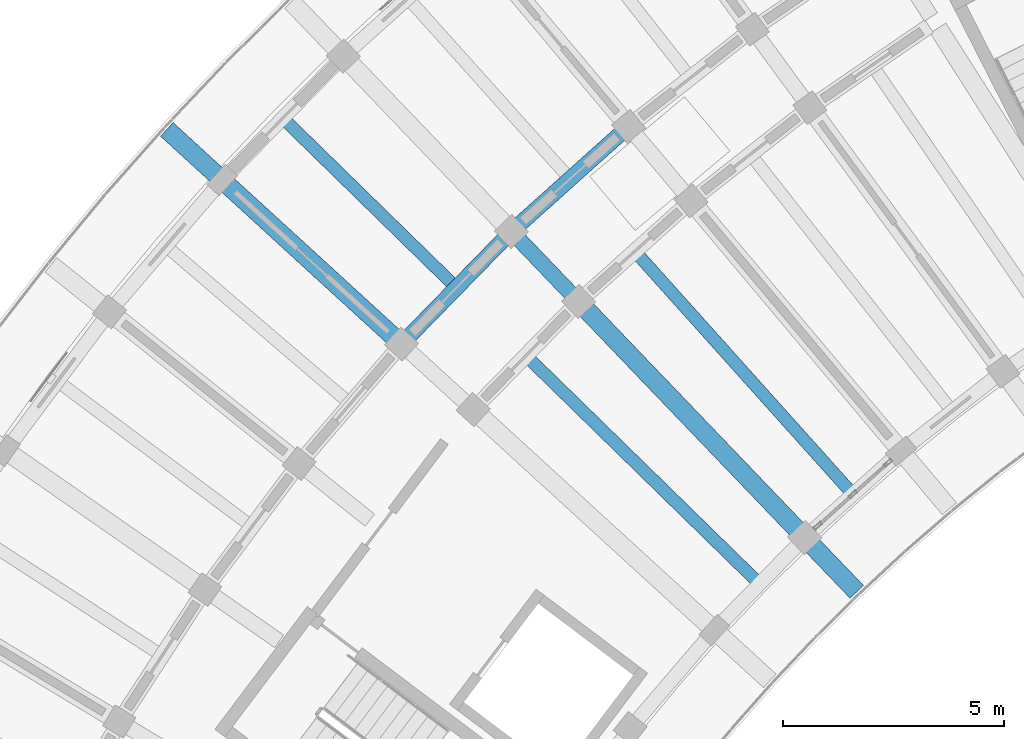
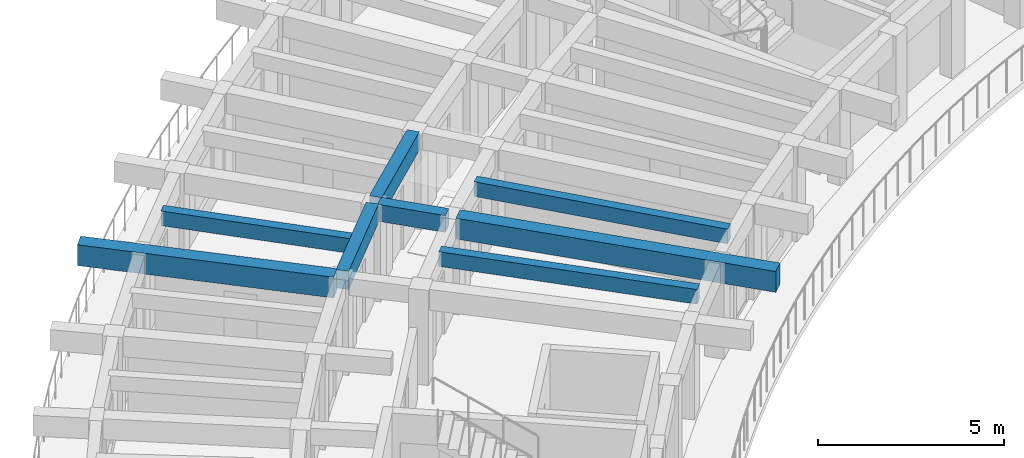
# One storey, part 12 of 81: 8 beams.
"""IFC4 building model written with IfcOpenShell, lengths in metres."""

from ifc_helpers import new_model, si_unit, direction, frame, origin, origin_2d, place, context, subcontext, project, spatial, rectangle, extrude, material, material_profile, profile_set, type_object, element, save


model = new_model("IFC4")

# Units and contexts
model_context = context("Model", 3, precision=1e-05, world=origin(), true_north=direction((0.0, 1.0)))
body_context = subcontext(model_context, "Body", "Model", "MODEL_VIEW")
ifc_project = project(units=[si_unit("LENGTHUNIT", "METRE"), si_unit("AREAUNIT", "SQUARE_METRE"), si_unit("VOLUMEUNIT", "CUBIC_METRE"), si_unit("PLANEANGLEUNIT", "RADIAN"), si_unit("MASSUNIT", "GRAM", prefix="KILO")], contexts=[model_context])

# Site, building, storey
site_placement = place(None, origin())
site = spatial("IfcSite", under=ifc_project, at=site_placement, CompositionType="ELEMENT")
building_placement = place(site_placement, origin())
building = spatial("IfcBuilding", under=site, at=building_placement, Name="Tanwirah Colonnade Gardens", CompositionType="ELEMENT")
storey_placement = place(building_placement, frame((0.0, 0.0, 18.919921875)))
storey = spatial("IfcBuildingStorey", under=building, at=storey_placement, Name="L05", CompositionType="ELEMENT", Elevation=18.919921875)

# Beams
ifc_material_1 = material(Name="Precast concrete C40/50", Category="concrete")
ifc_material_profile_1 = material_profile(ifc_material_1, rectangle(XDim=0.35009765625, YDim=0.550048828125, at=origin_2d()), Name="PC-BM 350x550")
ifc_profile_set_1 = profile_set([ifc_material_profile_1], Name="Precast concrete C40/50")
beam_type_1 = type_object("IfcBeamType", Name="BM-PC350A", PredefinedType="BEAM", material=ifc_profile_set_1)
beam_1_placement = place(storey_placement, frame((29.023193359375, 97.74560546875, 2.8349609375), z_axis=(-0.691913735329, 0.721980181766, 0.0), x_axis=(-0.721980181766, -0.691913735329, 0.0)))
element("IfcBeam", 1, at=beam_1_placement, inside=storey, type_object=beam_type_1, Name="Block A L05 Corridor Tie Beam 10", PredefinedType="BEAM", context=body_context, shape_type="SweptSolid", body=[
    extrude(rectangle(XDim=0.35009765625, YDim=0.550048828125, at=origin_2d()), origin(), (0.0, 0.0, 1.0), 1.900146484375),
])
ifc_material_profile_2 = material_profile(ifc_material_1, rectangle(XDim=0.35009765625, YDim=0.60009765625, at=origin_2d()), Name="PC-BM 350x600")
ifc_profile_set_2 = profile_set([ifc_material_profile_2], Name="Precast concrete C40/50")
beam_type_2 = type_object("IfcBeamType", Name="BM-PC350B", PredefinedType="BEAM", material=ifc_profile_set_2)
beam_2_placement = place(storey_placement, frame((30.145751953125, 101.504638671875, 2.81005859375), z_axis=(-0.744409136578, -0.667723773262, 0.0), x_axis=(0.667723773262, -0.744409136578, 0.0)))
element("IfcBeam", 2, at=beam_2_placement, inside=storey, type_object=beam_type_2, Name="Block A L05 Circumferential Beam 9-R2", PredefinedType="BEAM", context=body_context, shape_type="SweptSolid", body=[
    extrude(rectangle(XDim=0.35009765625, YDim=0.60009765625, at=origin_2d()), origin(), (0.0, 0.0, 1.0), 3.26318359375),
])
beam_3_placement = place(storey_placement, frame((27.5, 99.118408203125, 2.81005859375), z_axis=(-0.698829447339, -0.71528833594, 0.0), x_axis=(0.71528833594, -0.698829447339, 0.0)))
element("IfcBeam", 3, at=beam_3_placement, inside=storey, type_object=beam_type_2, Name="Block A L05 Circumferential Beam 10-R2", PredefinedType="BEAM", context=body_context, shape_type="SweptSolid", body=[
    extrude(rectangle(XDim=0.35009765625, YDim=0.60009765625, at=origin_2d()), origin(), (0.0, 0.0, 1.0), 3.263427734375),
])
ifc_material_2 = material(Name="Precast concrete C45/55", Category="concrete")
ifc_material_profile_3 = material_profile(ifc_material_2, rectangle(XDim=0.419921875, YDim=0.679931640625, at=origin_2d()), Name="PC-BM 420x680")
ifc_profile_set_3 = profile_set([ifc_material_profile_3], Name="Precast concrete C45/55")
beam_type_3 = type_object("IfcBeamType", Name="BM-PC420", PredefinedType="BEAM", material=ifc_profile_set_3)
beam_4_placement = place(storey_placement, frame((29.230712890625, 97.52880859375, 2.77001953125), z_axis=(0.691860926595, -0.722030787606, 0.0), x_axis=(0.722030787606, 0.691860926595, 0.0)))
element("IfcBeam", 4, at=beam_4_placement, inside=storey, type_object=beam_type_3, Name="Block A L05 Inner Radial Precast Girder 10", PredefinedType="BEAM", context=body_context, shape_type="SweptSolid", body=[
    extrude(rectangle(XDim=0.419921875, YDim=0.679931640625, at=origin_2d()), origin(), (0.0, 0.0, 1.0), 8.949951171875),
])
beam_5_placement = place(storey_placement, frame((25.004150390625, 96.7783203125, 2.77001953125), z_axis=(-0.737934199263, 0.674872667663, 0.0), x_axis=(-0.674872667663, -0.737934199263, 0.0)))
element("IfcBeam", 5, at=beam_5_placement, inside=storey, type_object=beam_type_3, Name="Block A L05 Outer Radial Precast Girder 11", PredefinedType="BEAM", context=body_context, shape_type="SweptSolid", body=[
    extrude(rectangle(XDim=0.419921875, YDim=0.679931640625, at=origin_2d()), origin(), (0.0, 0.0, 1.0), 7.050048828125),
])
ifc_material_profile_4 = material_profile(ifc_material_1, rectangle(XDim=0.280029296875, YDim=0.47998046875, at=origin_2d()), Name="PC-JST 280x480")
ifc_profile_set_4 = profile_set([ifc_material_profile_4], Name="Precast concrete C40/50")
beam_type_4 = type_object("IfcBeamType", Name="JST-PC280", PredefinedType="JOIST", material=ifc_profile_set_4)
beam_6_placement = place(storey_placement, frame((35.2412109375, 93.379638671875, 2.8701171875), z_axis=(-0.667688404274, 0.744440860511, 0.0), x_axis=(-0.744440860511, -0.667688404274, 0.0)))
element("IfcBeam", 6, at=beam_6_placement, inside=storey, type_object=beam_type_4, Name="Block A L05 Inner Precast Floor Joist 9", PredefinedType="JOIST", context=body_context, shape_type="SweptSolid", body=[
    extrude(rectangle(XDim=0.280029296875, YDim=0.47998046875, at=origin_2d()), origin(), (0.0, 0.0, 1.0), 7.16015625),
])
beam_7_placement = place(storey_placement, frame((26.2529296875, 98.0556640625, 2.8701171875), z_axis=(-0.715297399369, 0.698820170327, 0.0), x_axis=(-0.698820170327, -0.715297399369, 0.0)))
element("IfcBeam", 7, at=beam_7_placement, inside=storey, type_object=beam_type_4, Name="Block A L05 Precast Floor Joist 10", PredefinedType="JOIST", context=body_context, shape_type="SweptSolid", body=[
    extrude(rectangle(XDim=0.280029296875, YDim=0.47998046875, at=origin_2d()), origin(), (0.0, 0.0, 1.0), 5.260009765625),
])
beam_8_placement = place(storey_placement, frame((33.11962890625, 91.346923828125, 2.8701171875), z_axis=(-0.715276680509, 0.698841377081, 0.0), x_axis=(-0.698841377081, -0.715276680509, 0.0)))
element("IfcBeam", 8, at=beam_8_placement, inside=storey, type_object=beam_type_4, Name="Block A L05 Inner Precast Floor Joist 10", PredefinedType="JOIST", context=body_context, shape_type="SweptSolid", body=[
    extrude(rectangle(XDim=0.280029296875, YDim=0.47998046875, at=origin_2d()), origin(), (0.0, 0.0, 1.0), 7.159912109375),
])

save(model, "model.ifc")
